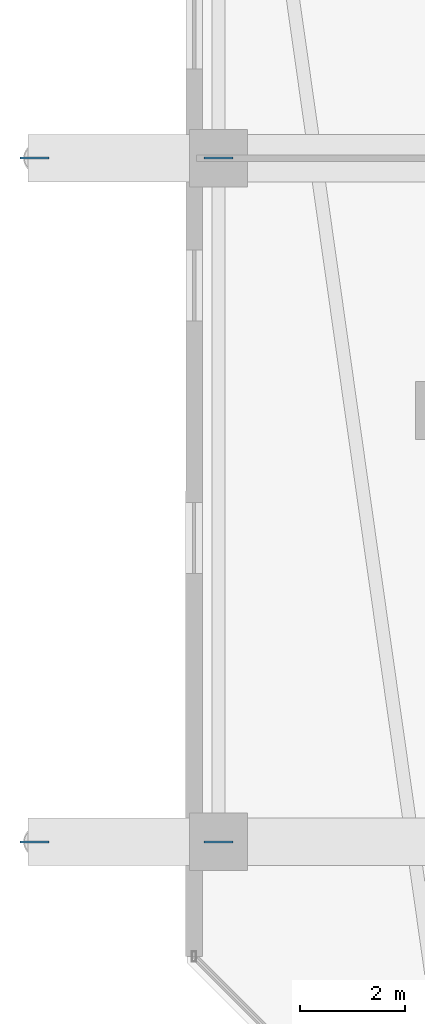
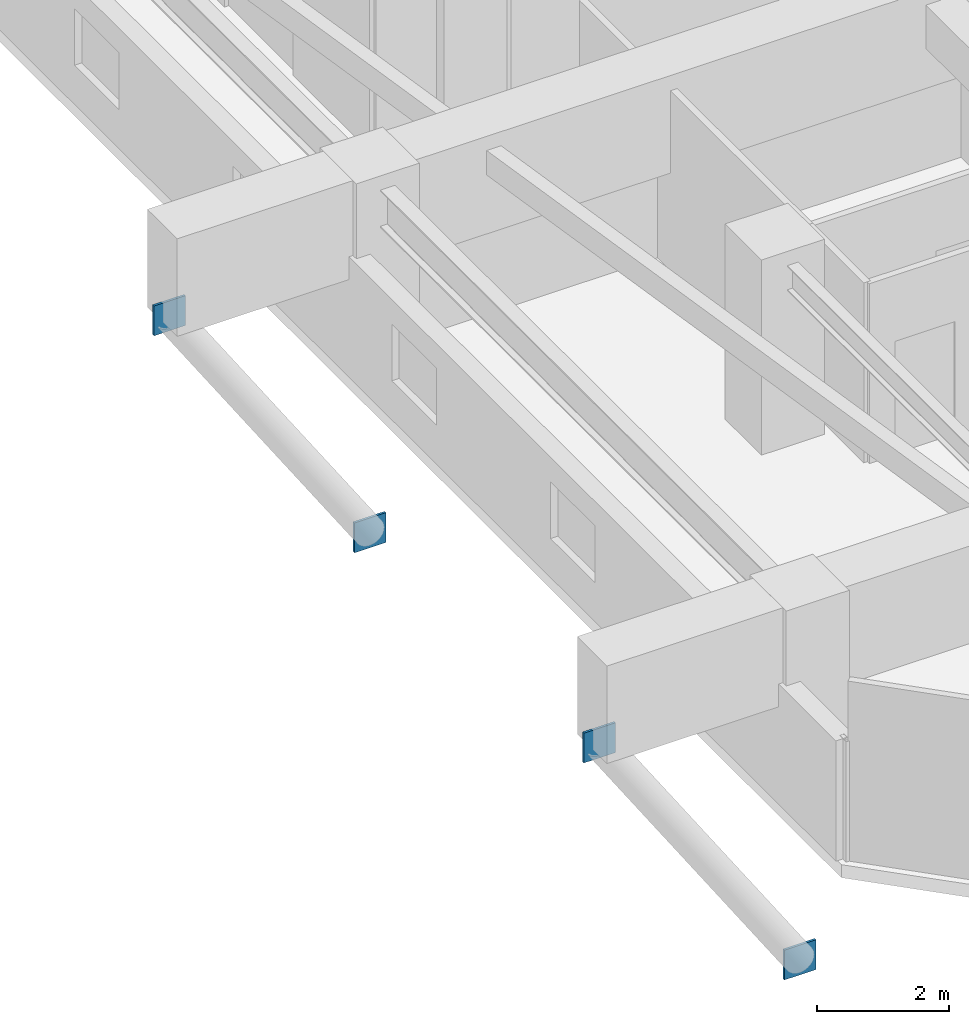
# One storey, part 18 of 36: 4 plates.
"""IFC4 building model written with IfcOpenShell, lengths in metres."""

from ifc_helpers import new_model, si_unit, direction, frame, origin, origin_2d, place, context, subcontext, project, spatial, rectangle, extrude, material, layer, layer_set, type_object, element, save


model = new_model("IFC4")

# Units and contexts
model_context = context("Model", 3, precision=1e-05, world=origin(), true_north=direction((0.0, 1.0)))
body_context = subcontext(model_context, "Body", "Model", "MODEL_VIEW")
ifc_project = project(units=[si_unit("LENGTHUNIT", "METRE"), si_unit("AREAUNIT", "SQUARE_METRE"), si_unit("VOLUMEUNIT", "CUBIC_METRE"), si_unit("PLANEANGLEUNIT", "RADIAN"), si_unit("MASSUNIT", "GRAM", prefix="KILO")], contexts=[model_context])

# Site, building, storey
site_placement = place(None, origin())
site = spatial("IfcSite", under=ifc_project, at=site_placement, CompositionType="ELEMENT")
building_placement = place(site_placement, origin())
building = spatial("IfcBuilding", under=site, at=building_placement, Name="Thornwick Lancets Civic Towers", CompositionType="ELEMENT")
storey_placement = place(building_placement, frame((0.0, 0.0, 196.5)))
storey = spatial("IfcBuildingStorey", under=building, at=storey_placement, Name="L52", CompositionType="ELEMENT", Elevation=196.5)

# Plates
ifc_material = material(Name="Steel S460M", Category="steel")
ifc_layer = layer(ifc_material, 0.0400390625, Name="Steel S460M")
ifc_layer_set = layer_set([ifc_layer], Name="Steel S460M")
plate_type = type_object("IfcPlateType", Name="PLT_GUSSET_40", PredefinedType="USERDEFINED", material=ifc_layer_set)
for number, where, z_axis, x_axis, name in (
    (1, (8.199951171875, 14.0, -3.625), (0.0, 0.0, 1.0), (-1.0, 0.0, 0.0), "L52 Brace Connection Gusset Plate 0293"),
    (2, (4.699951171875, 14.0, 1.60498046875), (0.0, 0.0, 1.0), (-1.0, 0.0, 0.0), "L52 Brace Connection Gusset Plate 0294"),
    (3, (8.199951171875, 27.0, -3.625), (0.0, 0.0, 1.0), (-1.0, 0.0, 0.0), "L52 Brace Connection Gusset Plate 0295"),
    (4, (4.699951171875, 27.0, 1.60498046875), (0.0, 0.0, 1.0), (-1.0, 0.0, 0.0), "L52 Brace Connection Gusset Plate 0296"),
):
    element("IfcPlate", number, at=place(storey_placement, frame(where, z_axis=z_axis, x_axis=x_axis)), inside=storey, type_object=plate_type, Name=name, ObjectType="GUSSET_PLATE", PredefinedType="USERDEFINED", context=body_context, shape_type="SweptSolid", body=[
        extrude(rectangle(XDim=0.550048828125, YDim=0.0400390625, at=origin_2d()), origin(), (0.0, 0.0, 1.0), 0.550048828125),
    ])

save(model, "model.ifc")
